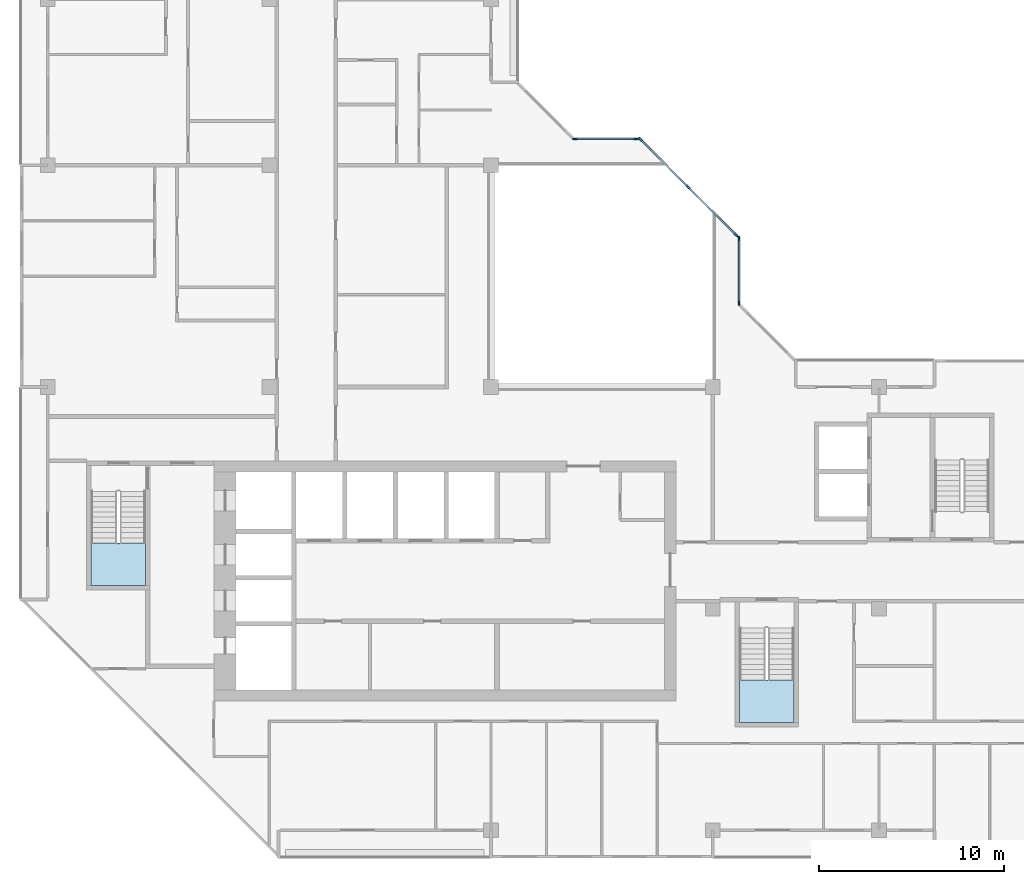
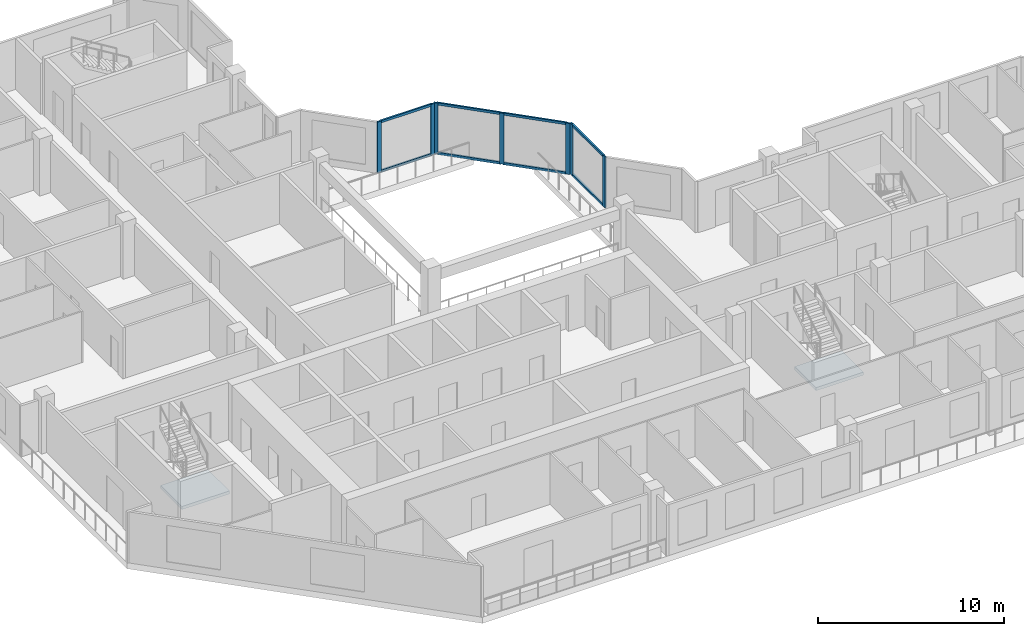
# One storey, part 2 of 13: 15 members, 2 slabs, 5 elements without a shape of their own.
"""IFC4 building model written with IfcOpenShell, lengths in metres."""

from ifc_helpers import new_model, si_unit, direction, frame, origin, origin_2d, place, context, subcontext, project, spatial, polyline, rectangle, outline, extrude, material, layer, layer_set, material_profile, profile_set, type_object, element, aggregate, save


model = new_model("IFC4")

# Units and contexts
model_context = context("Model", 3, precision=1e-05, world=origin(), true_north=direction((0.0, 1.0)))
body_context = subcontext(model_context, "Body", "Model", "MODEL_VIEW")
ifc_project = project(units=[si_unit("LENGTHUNIT", "METRE"), si_unit("AREAUNIT", "SQUARE_METRE"), si_unit("VOLUMEUNIT", "CUBIC_METRE"), si_unit("PLANEANGLEUNIT", "RADIAN"), si_unit("MASSUNIT", "GRAM", prefix="KILO")], contexts=[model_context])

# Site, building, storey
site_placement = place(None, origin())
site = spatial("IfcSite", under=ifc_project, at=site_placement, CompositionType="ELEMENT")
building_placement = place(site_placement, origin())
building = spatial("IfcBuilding", under=site, at=building_placement, Name="Chenar Terraces", CompositionType="ELEMENT")
storey_placement = place(building_placement, frame((0.0, 0.0, 284.64990234375)))
storey = spatial("IfcBuildingStorey", under=building, at=storey_placement, Name="L66", CompositionType="ELEMENT", Elevation=284.64990234375)

# Curtain wall, members
ifc_material_1 = material(Name="Aluminium framed glazing", Category="aluminium")
ifc_layer_1 = layer(ifc_material_1, 0.14990234375)
ifc_layer_set_1 = layer_set([ifc_layer_1], Name="Aluminium framed glazing")
curtain_wall_type = type_object("IfcCurtainWallType", Name="Atrium upper-zone curtain wall", PredefinedType="NOTDEFINED", material=ifc_layer_set_1)
placement_1 = place(storey_placement, origin())
curtain_wall_1 = element("IfcCurtainWall", 1, at=placement_1, inside=storey, type_object=curtain_wall_type, Name="Atrium upper-zone curtain wall", PredefinedType="NOTDEFINED")
ifc_material_2 = material(Name="Aluminium", Category="aluminium")
ifc_material_profile_1 = material_profile(ifc_material_2, rectangle(XDim=0.10009765625, YDim=0.239990234375, at=origin_2d()), Name="Atrium upper-zone glazing mullion 100 x 240")
ifc_profile_set_1 = profile_set([ifc_material_profile_1], Name="Aluminium")
member_type_1 = type_object("IfcMemberType", Name="Atrium upper-zone glazing mullion 100 x 240", PredefinedType="MULLION", material=ifc_profile_set_1)
member_1_placement = place(storey_placement, frame((37.425048828125, 28.550048828125, 0.0), z_axis=(0.0, 0.0, 1.0), x_axis=(-1.0, 0.0, 0.0)))
member_1 = element("IfcMember", 2, at=member_1_placement, type_object=member_type_1, Name="CW8-1 mullion 1", PredefinedType="MULLION", context=body_context, shape_type="SweptSolid", body=[
    extrude(rectangle(XDim=0.10009765625, YDim=0.239990234375, at=origin_2d()), origin(), (0.0, 0.0, 1.0), 3.35009765625),
])
member_2_placement = place(storey_placement, frame((37.425048828125, 32.050048828125, 0.0), z_axis=(0.0, 0.0, 1.0), x_axis=(-1.0, 0.0, 0.0)))
member_2 = element("IfcMember", 3, at=member_2_placement, type_object=member_type_1, Name="CW8-1 mullion 2", PredefinedType="MULLION", context=body_context, shape_type="SweptSolid", body=[
    extrude(rectangle(XDim=0.10009765625, YDim=0.239990234375, at=origin_2d()), origin(), (0.0, 0.0, 1.0), 3.35009765625),
])

curtain_wall_2 = element("IfcCurtainWall", 4, at=placement_1, inside=storey, type_object=curtain_wall_type, Name="Atrium upper-zone curtain wall", PredefinedType="NOTDEFINED")
member_3_placement = place(storey_placement, frame((37.270263671875, 32.2236328125, 0.0), z_axis=(0.0, 0.0, 1.0), x_axis=(-0.707106781187, -0.707106781187, 0.0)))
member_3 = element("IfcMember", 5, at=member_3_placement, type_object=member_type_1, Name="CW8-2 mullion 1", PredefinedType="MULLION", context=body_context, shape_type="SweptSolid", body=[
    extrude(rectangle(XDim=0.10009765625, YDim=0.239990234375, at=origin_2d()), origin(), (0.0, 0.0, 1.0), 3.35009765625),
])
member_4_placement = place(storey_placement, frame((34.67626953125, 34.817626953125, 0.0), z_axis=(0.0, 0.0, 1.0), x_axis=(-0.707106781187, -0.707106781187, 0.0)))
member_4 = element("IfcMember", 6, at=member_4_placement, type_object=member_type_1, Name="CW8-2 mullion 2", PredefinedType="MULLION", context=body_context, shape_type="SweptSolid", body=[
    extrude(rectangle(XDim=0.10009765625, YDim=0.239990234375, at=origin_2d()), origin(), (0.0, 0.0, 1.0), 3.35009765625),
])
member_5_placement = place(storey_placement, frame((32.082275390625, 37.41162109375, 0.0), z_axis=(0.0, 0.0, 1.0), x_axis=(-0.707106781187, -0.707106781187, 0.0)))
member_5 = element("IfcMember", 7, at=member_5_placement, type_object=member_type_1, Name="CW8-2 mullion 3", PredefinedType="MULLION", context=body_context, shape_type="SweptSolid", body=[
    extrude(rectangle(XDim=0.10009765625, YDim=0.239990234375, at=origin_2d()), origin(), (0.0, 0.0, 1.0), 3.35009765625),
])

curtain_wall_3 = element("IfcCurtainWall", 8, at=placement_1, inside=storey, type_object=curtain_wall_type, Name="Atrium upper-zone curtain wall", PredefinedType="NOTDEFINED")
member_6_placement = place(storey_placement, frame((31.85009765625, 37.425048828125, 0.0), z_axis=(0.0, 0.0, 1.0), x_axis=(0.0, -1.0, 0.0)))
member_6 = element("IfcMember", 9, at=member_6_placement, type_object=member_type_1, Name="CW8-3 mullion 1", PredefinedType="MULLION", context=body_context, shape_type="SweptSolid", body=[
    extrude(rectangle(XDim=0.10009765625, YDim=0.239990234375, at=origin_2d()), origin(), (0.0, 0.0, 1.0), 3.35009765625),
])
member_7_placement = place(storey_placement, frame((28.550048828125, 37.425048828125, 0.0), z_axis=(0.0, 0.0, 1.0), x_axis=(0.0, -1.0, 0.0)))
member_7 = element("IfcMember", 10, at=member_7_placement, type_object=member_type_1, Name="CW8-3 mullion 2", PredefinedType="MULLION", context=body_context, shape_type="SweptSolid", body=[
    extrude(rectangle(XDim=0.10009765625, YDim=0.239990234375, at=origin_2d()), origin(), (0.0, 0.0, 1.0), 3.35009765625),
])

# Member
ifc_material_3 = material(Name="Aluminium", Category="aluminium")
ifc_material_profile_2 = material_profile(ifc_material_3, rectangle(XDim=0.10009765625, YDim=0.159912109375, at=origin_2d()), Name="Atrium upper-zone glazing transom 100 x 160")
ifc_profile_set_2 = profile_set([ifc_material_profile_2], Name="Aluminium")
member_type_2 = type_object("IfcMemberType", Name="Atrium upper-zone glazing transom 100 x 160", PredefinedType="USERDEFINED", material=ifc_profile_set_2)
member_8_placement = place(storey_placement, frame((37.425048828125, 28.60009765625, 0.050048828125), z_axis=(0.0, 1.0, 0.0), x_axis=(-1.0, 0.0, 0.0)))
member_8 = element("IfcMember", 11, at=member_8_placement, type_object=member_type_2, Name="CW8-1 transom 1.1", ObjectType="TRANSOM", PredefinedType="USERDEFINED", context=body_context, shape_type="SweptSolid", body=[
    extrude(rectangle(XDim=0.10009765625, YDim=0.159912109375, at=origin_2d()), origin(), (0.0, 0.0, 1.0), 3.39990234375),
])

member_9_placement = place(storey_placement, frame((37.425048828125, 28.60009765625, 3.300048828125), z_axis=(0.0, 1.0, 0.0), x_axis=(-1.0, 0.0, 0.0)))
member_9 = element("IfcMember", 12, at=member_9_placement, type_object=member_type_2, Name="CW8-1 transom 1.2", ObjectType="TRANSOM", PredefinedType="USERDEFINED", context=body_context, shape_type="SweptSolid", body=[
    extrude(rectangle(XDim=0.10009765625, YDim=0.159912109375, at=origin_2d()), origin(), (0.0, 0.0, 1.0), 3.39990234375),
])

aggregate(curtain_wall_1, [member_1, member_2, member_8, member_9])

member_10_placement = place(storey_placement, frame((37.23486328125, 32.259033203125, 0.050048828125), z_axis=(-0.707106781187, 0.707106781187, 0.0), x_axis=(-0.707106781187, -0.707106781187, 0.0)))
member_10 = element("IfcMember", 13, at=member_10_placement, type_object=member_type_2, Name="CW8-2 transom 1.1", ObjectType="TRANSOM", PredefinedType="USERDEFINED", context=body_context, shape_type="SweptSolid", body=[
    extrude(rectangle(XDim=0.10009765625, YDim=0.159912109375, at=origin_2d()), origin(), (0.0, 0.0, 1.0), 3.568359375),
])

member_11_placement = place(storey_placement, frame((37.23486328125, 32.259033203125, 3.300048828125), z_axis=(-0.707106781187, 0.707106781187, 0.0), x_axis=(-0.707106781187, -0.707106781187, 0.0)))
member_11 = element("IfcMember", 14, at=member_11_placement, type_object=member_type_2, Name="CW8-2 transom 1.2", ObjectType="TRANSOM", PredefinedType="USERDEFINED", context=body_context, shape_type="SweptSolid", body=[
    extrude(rectangle(XDim=0.10009765625, YDim=0.159912109375, at=origin_2d()), origin(), (0.0, 0.0, 1.0), 3.568359375),
])

member_12_placement = place(storey_placement, frame((34.640869140625, 34.85302734375, 0.050048828125), z_axis=(-0.707106781187, 0.707106781187, 0.0), x_axis=(-0.707106781187, -0.707106781187, 0.0)))
member_12 = element("IfcMember", 15, at=member_12_placement, type_object=member_type_2, Name="CW8-2 transom 2.1", ObjectType="TRANSOM", PredefinedType="USERDEFINED", context=body_context, shape_type="SweptSolid", body=[
    extrude(rectangle(XDim=0.10009765625, YDim=0.159912109375, at=origin_2d()), origin(), (0.0, 0.0, 1.0), 3.568359375),
])

member_13_placement = place(storey_placement, frame((34.640869140625, 34.85302734375, 3.300048828125), z_axis=(-0.707106781187, 0.707106781187, 0.0), x_axis=(-0.707106781187, -0.707106781187, 0.0)))
member_13 = element("IfcMember", 16, at=member_13_placement, type_object=member_type_2, Name="CW8-2 transom 2.2", ObjectType="TRANSOM", PredefinedType="USERDEFINED", context=body_context, shape_type="SweptSolid", body=[
    extrude(rectangle(XDim=0.10009765625, YDim=0.159912109375, at=origin_2d()), origin(), (0.0, 0.0, 1.0), 3.568359375),
])

aggregate(curtain_wall_2, [member_3, member_4, member_5, member_10, member_11, member_12, member_13])

member_14_placement = place(storey_placement, frame((31.800048828125, 37.425048828125, 0.050048828125), z_axis=(-1.0, 0.0, 0.0), x_axis=(0.0, -1.0, 0.0)))
member_14 = element("IfcMember", 17, at=member_14_placement, type_object=member_type_2, Name="CW8-3 transom 1.1", ObjectType="TRANSOM", PredefinedType="USERDEFINED", context=body_context, shape_type="SweptSolid", body=[
    extrude(rectangle(XDim=0.10009765625, YDim=0.159912109375, at=origin_2d()), origin(), (0.0, 0.0, 1.0), 3.199951171875),
])

member_15_placement = place(storey_placement, frame((31.800048828125, 37.425048828125, 3.300048828125), z_axis=(-1.0, 0.0, 0.0), x_axis=(0.0, -1.0, 0.0)))
member_15 = element("IfcMember", 18, at=member_15_placement, type_object=member_type_2, Name="CW8-3 transom 1.2", ObjectType="TRANSOM", PredefinedType="USERDEFINED", context=body_context, shape_type="SweptSolid", body=[
    extrude(rectangle(XDim=0.10009765625, YDim=0.159912109375, at=origin_2d()), origin(), (0.0, 0.0, 1.0), 3.199951171875),
])

aggregate(curtain_wall_3, [member_6, member_7, member_14, member_15])

# Stair, slab
ifc_material_4 = material(Name="Reinforced concrete C40/50", Category="concrete")
stair_type = type_object("IfcStairType", Name="Core stair 1400 half-turn", PredefinedType="HALF_TURN_STAIR", material=ifc_material_4)
stair_1 = element("IfcStair", 19, at=placement_1, inside=storey, type_object=stair_type, Name="L66 Stair 1", PredefinedType="HALF_TURN_STAIR")
ifc_material_5 = material(Name="Reinforced concrete C40/50", Category="concrete")
ifc_layer_2 = layer(ifc_material_5, 0.199951171875)
ifc_layer_set_2 = layer_set([ifc_layer_2], Name="Reinforced concrete C40/50")
slab_type = type_object("IfcSlabType", Name="Core stair landing 200", PredefinedType="LANDING", material=ifc_layer_set_2)
placement_2 = place(storey_placement, frame((0.0, 0.0, 1.675048828125)))
slab_1 = element("IfcSlab", 20, at=placement_2, type_object=slab_type, Name="ST1 landing 1", PredefinedType="LANDING", context=body_context, shape_type="SweptSolid", body=[
    extrude(outline(polyline([(2.35009765625, 15.550048828125), (2.35009765625, 13.25), (5.300048828125, 13.25), (5.300048828125, 15.550048828125), (2.35009765625, 15.550048828125)])), origin(), (0.0, 0.0, 1.0), 0.199951171875),
])
aggregate(stair_1, [slab_1])

stair_2 = element("IfcStair", 21, at=placement_1, inside=storey, type_object=stair_type, Name="L66 Stair 2", PredefinedType="HALF_TURN_STAIR")
slab_2 = element("IfcSlab", 22, at=placement_2, type_object=slab_type, Name="ST2 landing 1", PredefinedType="LANDING", context=body_context, shape_type="SweptSolid", body=[
    extrude(outline(polyline([(37.449951171875, 8.14990234375), (37.449951171875, 5.85009765625), (40.39990234375, 5.85009765625), (40.39990234375, 8.14990234375), (37.449951171875, 8.14990234375)])), origin(), (0.0, 0.0, 1.0), 0.199951171875),
])
aggregate(stair_2, [slab_2])

save(model, "model.ifc")
